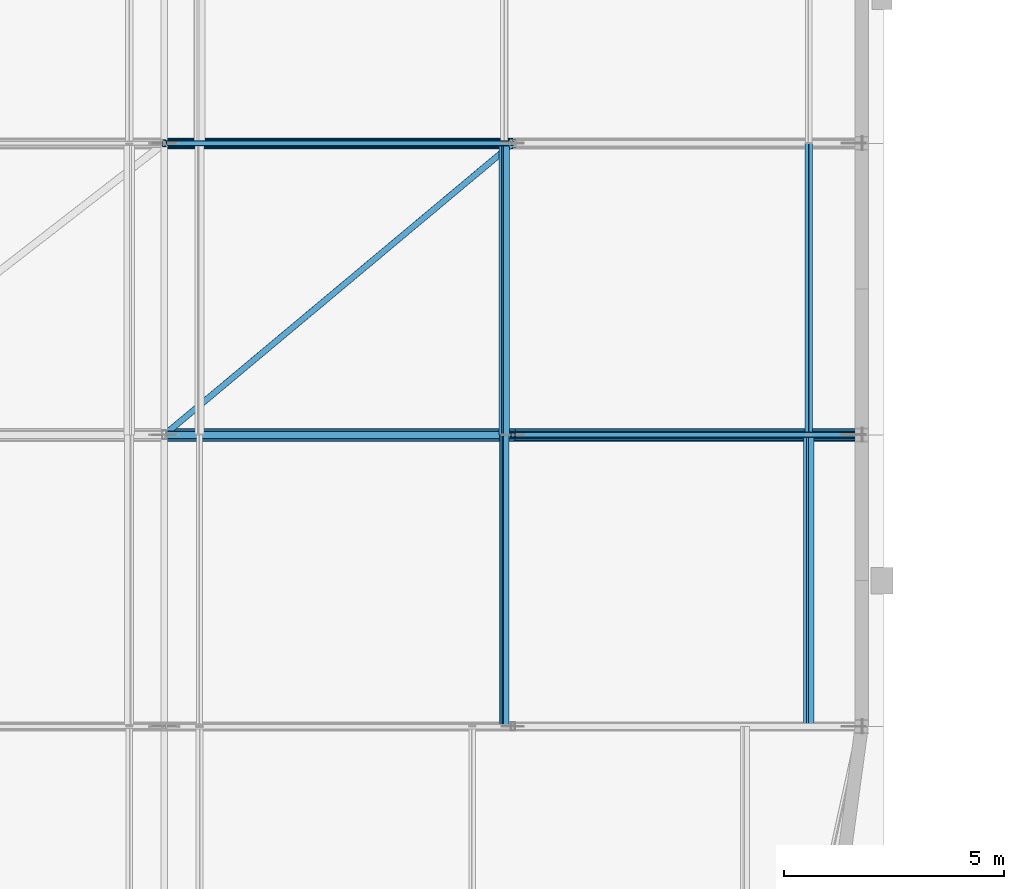
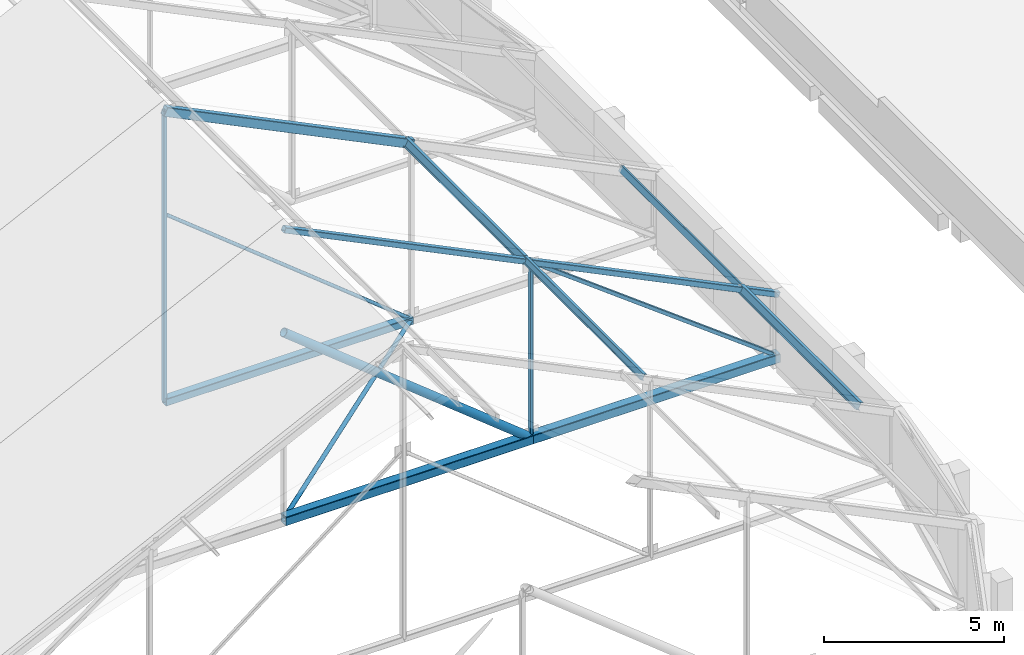
# One storey, part 18 of 78: 16 members.
"""IFC4 building model written with IfcOpenShell, lengths in metres."""

import ifcopenshell
import ifcopenshell.guid

model = None  # the IFC model being written
_history = None  # IfcOwnerHistory: only IFC2X3 demands one
_inside = {}  # id of a spatial element -> (the spatial element, [elements in it])
_under = {}  # id of a project, library or spatial element -> (it, [spatial elements below it])
_declared = {}  # id of a project -> (the project, [libraries it declares])
_typed = {}  # id of a type object -> (the type object, [elements of that type])
_made_of = {}  # id of a material, layer set ... -> (it, [elements and type objects made of it])


def new_model(schema):
    """Start an empty IFC model of exactly this schema.

    Asked for "IFC4X3", IfcOpenShell would pick the latest addendum, in which some entities
    have other attributes; the version numbers below select the first issue.
    IFC2X3 requires an IfcOwnerHistory on every rooted entity: one is made here for all.
    """
    global model, _history
    if schema == "IFC4X3":
        model = ifcopenshell.file(schema_version=(4, 3, 0, 0))
    else:
        model = ifcopenshell.file(schema=schema)
    _inside.clear()
    _under.clear()
    _declared.clear()
    _typed.clear()
    _made_of.clear()
    _history = None
    if model.schema == "IFC2X3":
        org = make("IfcOrganization", Name="unknown")
        user = make(
            "IfcPersonAndOrganization",
            ThePerson=make("IfcPerson", FamilyName="unknown"),
            TheOrganization=org,
        )
        app = make(
            "IfcApplication",
            ApplicationDeveloper=org,
            Version="unknown",
            ApplicationFullName="unknown",
            ApplicationIdentifier="unknown",
        )
        _history = make(
            "IfcOwnerHistory",
            OwningUser=user,
            OwningApplication=app,
            ChangeAction="ADDED",
            CreationDate=0,
        )
    return model


def make(cls, **values):
    """One entity of the class cls with the attributes given. An attribute that is None is left unset."""
    return model.create_entity(
        cls, **{name: value for name, value in values.items() if value is not None}
    )


def rooted(cls, **values):
    """An entity with a GlobalId (a new one), such as an element, a storey or a relation."""
    return make(cls, GlobalId=ifcopenshell.guid.new(), OwnerHistory=_history, **values)


def si_unit(unit_type, name, prefix=None):
    """IfcSIUnit, for example si_unit("LENGTHUNIT", "METRE", prefix="MILLI")."""
    return make("IfcSIUnit", UnitType=unit_type, Prefix=prefix, Name=name)


def assignment(units):
    """IfcUnitAssignment: the units of a project."""
    return None if units is None else make("IfcUnitAssignment", Units=units)


def point(xyz):
    """IfcCartesianPoint."""
    return None if xyz is None else make("IfcCartesianPoint", Coordinates=xyz)


def direction(xyz):
    """IfcDirection."""
    return None if xyz is None else make("IfcDirection", DirectionRatios=xyz)


def frame(location, z_axis=None, x_axis=None):
    """IfcAxis2Placement3D, a coordinate frame: its origin and axes. An axis left out is left unset."""
    return make(
        "IfcAxis2Placement3D",
        Location=point(location),
        Axis=direction(z_axis),
        RefDirection=direction(x_axis),
    )


def frame_2d(location, x_axis=None):
    """IfcAxis2Placement2D, a coordinate frame in the plane: its origin and x axis."""
    return make(
        "IfcAxis2Placement2D", Location=point(location), RefDirection=direction(x_axis)
    )


def origin():
    """The frame at (0, 0, 0) with its axes left unset."""
    return frame((0.0, 0.0, 0.0))


def origin_2d():
    """The frame at (0, 0) in the plane with its x axis left unset."""
    return frame_2d((0.0, 0.0))


def place(relative_to, where):
    """IfcLocalPlacement: puts the frame where relative to a parent placement (None: the world)."""
    return make(
        "IfcLocalPlacement", PlacementRelTo=relative_to, RelativePlacement=where
    )


def context(
    kind, dimensions, precision=None, world=None, true_north=None, identifier=None
):
    """IfcGeometricRepresentationContext, for example the 3D "Model" context."""
    return make(
        "IfcGeometricRepresentationContext",
        ContextIdentifier=identifier,
        ContextType=kind,
        CoordinateSpaceDimension=dimensions,
        Precision=precision,
        WorldCoordinateSystem=world,
        TrueNorth=true_north,
    )


def subcontext(parent, identifier, kind, view, scale=None):
    """IfcGeometricRepresentationSubContext, for example "Body" below "Model"."""
    return make(
        "IfcGeometricRepresentationSubContext",
        ContextIdentifier=identifier,
        ContextType=kind,
        ParentContext=parent,
        TargetScale=scale,
        TargetView=view,
    )


def project(units=None, contexts=None):
    """IfcProject with its units and contexts."""
    return rooted(
        "IfcProject",
        Name="project",
        RepresentationContexts=contexts,
        UnitsInContext=assignment(units),
    )


def spatial(cls, under=None, at=None, **own):
    """A site, building, storey or space (cls), placed at a placement, below another one or the project."""
    s = rooted(cls, ObjectPlacement=at, **own)
    if under is not None:
        _under.setdefault(under.id(), (under, []))[1].append(s)
    return s


def profile(cls, at=None, kind="AREA", **sizes):
    """A parametric profile (cls). Its sizes go by their IFC names, for example OverallWidth=200.0."""
    return make(cls, ProfileType=kind, Position=at, **sizes)


def hollow_rectangle(**sizes):
    """IfcRectangleHollowProfileDef."""
    return profile("IfcRectangleHollowProfileDef", **sizes)


def hollow_circle(**sizes):
    """IfcCircleHollowProfileDef."""
    return profile("IfcCircleHollowProfileDef", **sizes)


def i_section(**sizes):
    """IfcIShapeProfileDef."""
    return profile("IfcIShapeProfileDef", **sizes)


def extrude(swept, where, along, depth):
    """IfcExtrudedAreaSolid: the profile swept, set in the frame where, extruded along a direction by depth."""
    return make(
        "IfcExtrudedAreaSolid",
        SweptArea=swept,
        Position=where,
        ExtrudedDirection=direction(along),
        Depth=depth,
    )


def shape(context_of_items, identifier, shape_type, items):
    """IfcShapeRepresentation: the items that make up one representation, for example the "Body"."""
    return make(
        "IfcShapeRepresentation",
        ContextOfItems=context_of_items,
        RepresentationIdentifier=identifier,
        RepresentationType=shape_type,
        Items=items,
    )


def material(Name=None, Category=None):
    """IfcMaterial."""
    return make("IfcMaterial", Name=Name, Category=Category)


def material_profile(
    of_material, cross_section, Name=None, Category=None, Priority=None
):
    """IfcMaterialProfile: a cross section and its material."""
    return make(
        "IfcMaterialProfile",
        Name=Name,
        Material=of_material,
        Profile=cross_section,
        Priority=Priority,
        Category=Category,
    )


def profile_set(profiles, Name=None, composite=None):
    """IfcMaterialProfileSet."""
    return make(
        "IfcMaterialProfileSet",
        Name=Name,
        MaterialProfiles=profiles,
        CompositeProfile=composite,
    )


def made_of(thing, what):
    """Note that an element or type object is made of a material, layer set ...; save() writes the relation."""
    if what is not None:
        _made_of.setdefault(what.id(), (what, []))[1].append(thing)
    return thing


def type_object(cls, material=None, **own):
    """A type object (cls), such as IfcWallType, which elements share."""
    return made_of(rooted(cls, **own), material)


def element(
    cls,
    number,
    at=None,
    inside=None,
    cuts=None,
    type_object=None,
    material=None,
    context=None,
    identifier="Body",
    shape_type=None,
    held_by="IfcProductDefinitionShape",
    body=None,
    shapes=None,
    **own,
):
    """One element of the class cls, such as IfcWall. Its Tag is "e" and its number.

    at: its placement. inside: the storey or other place that contains it. cuts: it is an
    opening in that element (IfcRelVoidsElement). A single representation is given by context,
    identifier, shape_type and body (its items); several are given by shapes. held_by: the class
    of the entity that holds the representations. save() writes the other relations.
    """
    e = rooted(cls, Tag="e%d" % number, ObjectPlacement=at, **own)
    if body is not None:
        shapes = [shape(context, identifier, shape_type, body)]
    if shapes is not None:
        e.Representation = make(held_by, Representations=shapes)
    if inside is not None:
        _inside.setdefault(inside.id(), (inside, []))[1].append(e)
    if cuts is not None:
        rooted(
            "IfcRelVoidsElement", RelatingBuildingElement=cuts, RelatedOpeningElement=e
        )
    if type_object is not None:
        _typed.setdefault(type_object.id(), (type_object, []))[1].append(e)
    return made_of(e, material)


def aggregate(whole, parts):
    """IfcRelAggregates: a whole, such as a stair, and the parts it consists of."""
    return rooted("IfcRelAggregates", RelatingObject=whole, RelatedObjects=parts)


def save(model, path):
    """Write the relations noted so far, then the file.

    IfcRelAggregates (storeys below a building ...), IfcRelContainedInSpatialStructure (elements
    in a storey), IfcRelDefinesByType, IfcRelAssociatesMaterial and IfcRelDeclares: one each for
    every whole, place, type object, material and project.
    """
    for whole, parts in _under.values():
        aggregate(whole, parts)
    for where, things in _inside.values():
        rooted(
            "IfcRelContainedInSpatialStructure",
            RelatedElements=things,
            RelatingStructure=where,
        )
    for kind, things in _typed.values():
        rooted("IfcRelDefinesByType", RelatedObjects=things, RelatingType=kind)
    for what, things in _made_of.values():
        rooted("IfcRelAssociatesMaterial", RelatedObjects=things, RelatingMaterial=what)
    for by, libraries in _declared.values():
        rooted("IfcRelDeclares", RelatingContext=by, RelatedDefinitions=libraries)
    model.write(path)


model = new_model("IFC4")

# Units and contexts
model_context = context("Model", 3, precision=1e-05, world=origin(), true_north=direction((0.0, 1.0)))
body_context = subcontext(model_context, "Body", "Model", "MODEL_VIEW")
ifc_project = project(units=[si_unit("LENGTHUNIT", "METRE"), si_unit("AREAUNIT", "SQUARE_METRE"), si_unit("VOLUMEUNIT", "CUBIC_METRE"), si_unit("PLANEANGLEUNIT", "RADIAN"), si_unit("MASSUNIT", "GRAM", prefix="KILO")], contexts=[model_context])

# Site, building, storey
site_placement = place(None, origin())
site = spatial("IfcSite", under=ifc_project, at=site_placement, CompositionType="ELEMENT")
building_placement = place(site_placement, origin())
building = spatial("IfcBuilding", under=site, at=building_placement, Name="Kelanivale Promenade Academy", CompositionType="ELEMENT")
storey_placement = place(building_placement, frame((0.0, 0.0, 16.199951171875)))
storey = spatial("IfcBuildingStorey", under=building, at=storey_placement, Name="L04", CompositionType="ELEMENT", Elevation=16.199951171875)

# Members
ifc_material = material(Name="Steel S355", Category="steel")
ifc_material_profile_1 = material_profile(ifc_material, i_section(OverallWidth=0.13330078125, OverallDepth=0.203125, WebThickness=0.005615234375, FlangeThickness=0.0078125, FilletRadius=0.007568359375, at=origin_2d()), Name="UB 203x133x25")
ifc_profile_set_1 = profile_set([ifc_material_profile_1], Name="Steel S355")
member_type_1 = type_object("IfcMemberType", Name="PR-01 UB 203x133x25", PredefinedType="PURLIN", material=ifc_profile_set_1)
member_1_placement = place(storey_placement, frame((27.324951171875, 46.257080078125, 6.3310546875), z_axis=(0.0, 1.0, 0.0), x_axis=(-0.898564392509, 0.0, 0.438841694139)))
element("IfcMember", 1, at=member_1_placement, inside=storey, type_object=member_type_1, Name="Sports Hall Crescent Pavilion roof purlin PR-01", PredefinedType="PURLIN", context=body_context, shape_type="SweptSolid", body=[
    extrude(i_section(OverallWidth=0.13330078125, OverallDepth=0.203125, WebThickness=0.005615234375, FlangeThickness=0.0078125, FilletRadius=0.007568359375, at=origin_2d()), origin(), (0.0, 0.0, 1.0), 6.62890625),
])
ifc_material_profile_2 = material_profile(ifc_material, i_section(OverallWidth=0.14599609375, OverallDepth=0.25146484375, WebThickness=0.006103515625, FlangeThickness=0.008544921875, FilletRadius=0.007568359375, at=origin_2d()), Name="UB 254x146x31")
ifc_profile_set_2 = profile_set([ifc_material_profile_2], Name="Steel S355")
member_type_2 = type_object("IfcMemberType", Name="PR-02 UB 254x146x31", PredefinedType="PURLIN", material=ifc_profile_set_2)
member_2_placement = place(storey_placement, frame((34.25, 46.257080078125, 2.922119140625), z_axis=(0.0, 1.0, 0.0), x_axis=(-0.898564392509, 0.0, 0.438841694139)))
element("IfcMember", 2, at=member_2_placement, inside=storey, type_object=member_type_2, Name="Sports Hall Crescent Pavilion roof purlin PR-02", PredefinedType="PURLIN", context=body_context, shape_type="SweptSolid", body=[
    extrude(i_section(OverallWidth=0.14599609375, OverallDepth=0.25146484375, WebThickness=0.006103515625, FlangeThickness=0.008544921875, FilletRadius=0.007568359375, at=origin_2d()), origin(), (0.0, 0.0, 1.0), 6.62890625),
])
member_3_placement = place(storey_placement, frame((27.324951171875, 52.885986328125, 6.303955078125), z_axis=(0.0, 1.0, 0.0), x_axis=(-0.898564392509, 0.0, 0.438841694139)))
element("IfcMember", 3, at=member_3_placement, inside=storey, type_object=member_type_2, Name="Sports Hall Crescent Pavilion roof purlin PR-02", PredefinedType="PURLIN", context=body_context, shape_type="SweptSolid", body=[
    extrude(i_section(OverallWidth=0.14599609375, OverallDepth=0.25146484375, WebThickness=0.006103515625, FlangeThickness=0.008544921875, FilletRadius=0.007568359375, at=origin_2d()), origin(), (0.0, 0.0, 1.0), 6.6279296875),
])
ifc_material_profile_3 = material_profile(ifc_material, hollow_rectangle(XDim=0.10009765625, YDim=0.199951171875, WallThickness=0.008056640625, InnerFilletRadius=0.008056640625, OuterFilletRadius=0.01611328125, at=origin_2d()), Name="RHS 200x100x8.0")
ifc_profile_set_3 = profile_set([ifc_material_profile_3], Name="Steel S355")
member_type_3 = type_object("IfcMemberType", Name="PR-03 RHS 200x100x8.0", PredefinedType="PURLIN", material=ifc_profile_set_3)
member_4_placement = place(storey_placement, frame((34.25, 52.885986328125, 2.950927734375), z_axis=(0.0, 1.0, 0.0), x_axis=(-0.898564392509, 0.0, 0.438841694139)))
element("IfcMember", 4, at=member_4_placement, inside=storey, type_object=member_type_3, Name="Sports Hall Crescent Pavilion roof purlin PR-03", PredefinedType="PURLIN", context=body_context, shape_type="SweptSolid", body=[
    extrude(hollow_rectangle(XDim=0.10009765625, YDim=0.199951171875, WallThickness=0.008056640625, InnerFilletRadius=0.008056640625, OuterFilletRadius=0.01611328125, at=origin_2d()), origin(), (0.0, 0.0, 1.0), 6.6279296875),
])
ifc_material_profile_4 = material_profile(ifc_material, hollow_rectangle(XDim=0.300048828125, YDim=0.300048828125, WallThickness=0.01611328125, InnerFilletRadius=0.01611328125, OuterFilletRadius=0.031982421875, at=origin_2d()), Name="SHS 300x300x16.0")
ifc_profile_set_4 = profile_set([ifc_material_profile_4], Name="Steel S355")
member_type_4 = type_object("IfcMemberType", Name="TC-01 SHS 300x300x16.0", PredefinedType="CHORD", material=ifc_profile_set_4)
member_5_placement = place(storey_placement, frame((19.60009765625, 52.885986328125, 0.199951171875), z_axis=(1.0, 0.0, 0.0), x_axis=(0.0, 1.0, 0.0)))
element("IfcMember", 5, at=member_5_placement, inside=storey, type_object=member_type_4, Name="ROOF TRUSS SH-TR4 bottom chord 3", PredefinedType="CHORD", context=body_context, shape_type="SweptSolid", body=[
    extrude(hollow_rectangle(XDim=0.300048828125, YDim=0.300048828125, WallThickness=0.01611328125, InnerFilletRadius=0.01611328125, OuterFilletRadius=0.031982421875, at=origin_2d()), origin(), (0.0, 0.0, 1.0), 7.9248046875),
])
member_6_placement = place(storey_placement, frame((27.52490234375, 52.885986328125, 0.199951171875), z_axis=(1.0, 0.0, 0.0), x_axis=(0.0, 1.0, 0.0)))
element("IfcMember", 6, at=member_6_placement, inside=storey, type_object=member_type_4, Name="ROOF TRUSS SH-TR4 bottom chord 4", PredefinedType="CHORD", context=body_context, shape_type="SweptSolid", body=[
    extrude(hollow_rectangle(XDim=0.300048828125, YDim=0.300048828125, WallThickness=0.01611328125, InnerFilletRadius=0.01611328125, OuterFilletRadius=0.031982421875, at=origin_2d()), origin(), (0.0, 0.0, 1.0), 7.925048828125),
])
ifc_material_profile_5 = material_profile(ifc_material, hollow_rectangle(XDim=0.25, YDim=0.25, WallThickness=0.012451171875, InnerFilletRadius=0.012451171875, OuterFilletRadius=0.02490234375, at=origin_2d()), Name="SHS 250x250x12.5")
ifc_profile_set_5 = profile_set([ifc_material_profile_5], Name="Steel S355")
member_type_5 = type_object("IfcMemberType", Name="TC-02 SHS 250x250x12.5", PredefinedType="CHORD", material=ifc_profile_set_5)
member_7_placement = place(storey_placement, frame((19.60009765625, 59.513916015625, 0.199951171875), z_axis=(1.0, 0.0, 0.0), x_axis=(0.0, 1.0, 0.0)))
element("IfcMember", 7, at=member_7_placement, inside=storey, type_object=member_type_5, Name="ROOF TRUSS SH-TR5 bottom chord 3", PredefinedType="CHORD", context=body_context, shape_type="SweptSolid", body=[
    extrude(hollow_rectangle(XDim=0.25, YDim=0.25, WallThickness=0.012451171875, InnerFilletRadius=0.012451171875, OuterFilletRadius=0.02490234375, at=origin_2d()), origin(), (0.0, 0.0, 1.0), 7.9248046875),
])
ifc_material_profile_6 = material_profile(ifc_material, hollow_rectangle(XDim=0.179931640625, YDim=0.179931640625, WallThickness=0.010009765625, InnerFilletRadius=0.010009765625, OuterFilletRadius=0.02001953125, at=origin_2d()), Name="SHS 180x180x10.0")
ifc_profile_set_6 = profile_set([ifc_material_profile_6], Name="Steel S355")
member_type_6 = type_object("IfcMemberType", Name="TC-04 SHS 180x180x10.0", PredefinedType="CHORD", material=ifc_profile_set_6)
member_8_placement = place(storey_placement, frame((19.60009765625, 52.885986328125, 10.0419921875), z_axis=(0.89858452393, 0.0, -0.438800471005), x_axis=(0.0, 1.0, 0.0)))
element("IfcMember", 8, at=member_8_placement, inside=storey, type_object=member_type_6, Name="ROOF TRUSS SH-TR4 top chord 3", PredefinedType="CHORD", context=body_context, shape_type="SweptSolid", body=[
    extrude(hollow_rectangle(XDim=0.179931640625, YDim=0.179931640625, WallThickness=0.010009765625, InnerFilletRadius=0.010009765625, OuterFilletRadius=0.02001953125, at=origin_2d()), origin(), (0.0, 0.0, 1.0), 8.819091796875),
])
member_9_placement = place(storey_placement, frame((27.52490234375, 52.885986328125, 6.172119140625), z_axis=(0.898535276105, 0.0, -0.438901307351), x_axis=(0.0, 1.0, 0.0)))
element("IfcMember", 9, at=member_9_placement, inside=storey, type_object=member_type_6, Name="ROOF TRUSS SH-TR4 top chord 4", PredefinedType="CHORD", context=body_context, shape_type="SweptSolid", body=[
    extrude(hollow_rectangle(XDim=0.179931640625, YDim=0.179931640625, WallThickness=0.010009765625, InnerFilletRadius=0.010009765625, OuterFilletRadius=0.02001953125, at=origin_2d()), origin(), (0.0, 0.0, 1.0), 8.820068359375),
])
ifc_material_profile_7 = material_profile(ifc_material, hollow_rectangle(XDim=0.199951171875, YDim=0.300048828125, WallThickness=0.012451171875, InnerFilletRadius=0.012451171875, OuterFilletRadius=0.02490234375, at=origin_2d()), Name="RHS 300x200x12.5")
ifc_profile_set_7 = profile_set([ifc_material_profile_7], Name="Steel S355")
member_type_7 = type_object("IfcMemberType", Name="TC-05 RHS 300x200x12.5", PredefinedType="CHORD", material=ifc_profile_set_7)
member_10_placement = place(storey_placement, frame((19.60009765625, 59.513916015625, 10.0419921875), z_axis=(0.89858452393, 0.0, -0.438800471005), x_axis=(0.0, 1.0, 0.0)))
element("IfcMember", 10, at=member_10_placement, inside=storey, type_object=member_type_7, Name="ROOF TRUSS SH-TR5 top chord 3", PredefinedType="CHORD", context=body_context, shape_type="SweptSolid", body=[
    extrude(hollow_rectangle(XDim=0.199951171875, YDim=0.300048828125, WallThickness=0.012451171875, InnerFilletRadius=0.012451171875, OuterFilletRadius=0.02490234375, at=origin_2d()), origin(), (0.0, 0.0, 1.0), 8.819091796875),
])
ifc_material_profile_8 = material_profile(ifc_material, hollow_rectangle(XDim=0.1201171875, YDim=0.1201171875, WallThickness=0.008056640625, InnerFilletRadius=0.008056640625, OuterFilletRadius=0.01611328125, at=origin_2d()), Name="SHS 120x120x8.0")
ifc_profile_set_8 = profile_set([ifc_material_profile_8], Name="Steel S355")
member_type_8 = type_object("IfcMemberType", Name="TD-02 SHS 120x120x8.0", PredefinedType="BRACE", material=ifc_profile_set_8)
member_11_placement = place(storey_placement, frame((35.449951171875, 52.885986328125, 0.199951171875), z_axis=(-0.798625080722, 0.0, 0.601828863085), x_axis=(0.0, -1.0, 0.0)))
element("IfcMember", 11, at=member_11_placement, inside=storey, type_object=member_type_8, Name="ROOF TRUSS SH-TR4 web diagonal 4", PredefinedType="BRACE", context=body_context, shape_type="SweptSolid", body=[
    extrude(hollow_rectangle(XDim=0.1201171875, YDim=0.1201171875, WallThickness=0.008056640625, InnerFilletRadius=0.008056640625, OuterFilletRadius=0.01611328125, at=origin_2d()), origin(), (0.0, 0.0, 1.0), 9.92333984375),
])
ifc_material_profile_9 = material_profile(ifc_material, hollow_circle(Radius=0.06982421875, WallThickness=0.008056640625, at=origin_2d()), Name="CHS 139.7x8.0")
ifc_profile_set_9 = profile_set([ifc_material_profile_9], Name="Steel S355")
member_type_9 = type_object("IfcMemberType", Name="TD-05 CHS 139.7x8.0", PredefinedType="BRACE", material=ifc_profile_set_9)
member_12_placement = place(storey_placement, frame((19.60009765625, 52.885986328125, 0.199951171875), z_axis=(0.76708109909, 0.641550144119, 0.0), x_axis=(-0.641550144119, 0.76708109909, 0.0)))
element("IfcMember", 12, at=member_12_placement, inside=storey, type_object=member_type_9, Name="Sports Hall Crescent Pavilion roof wind brace TD-05", PredefinedType="BRACE", context=body_context, shape_type="SweptSolid", body=[
    extrude(hollow_circle(Radius=0.06982421875, WallThickness=0.008056640625, at=origin_2d()), origin(), (0.0, 0.0, 1.0), 10.3310546875),
])
ifc_material_profile_10 = material_profile(ifc_material, hollow_circle(Radius=0.05712890625, WallThickness=0.00634765625, at=origin_2d()), Name="CHS 114.3x6.3")
ifc_profile_set_10 = profile_set([ifc_material_profile_10], Name="Steel S355")
member_type_10 = type_object("IfcMemberType", Name="TD-06 CHS 114.3x6.3", PredefinedType="BRACE", material=ifc_profile_set_10)
member_13_placement = place(storey_placement, frame((27.52490234375, 59.513916015625, 0.199951171875), z_axis=(-0.780857074681, 0.0, 0.624709715724), x_axis=(0.0, -1.0, 0.0)))
element("IfcMember", 13, at=member_13_placement, inside=storey, type_object=member_type_10, Name="ROOF TRUSS SH-TR5 web diagonal 3", PredefinedType="BRACE", context=body_context, shape_type="SweptSolid", body=[
    extrude(hollow_circle(Radius=0.05712890625, WallThickness=0.00634765625, at=origin_2d()), origin(), (0.0, 0.0, 1.0), 10.14892578125),
])
ifc_material_profile_11 = material_profile(ifc_material, hollow_circle(Radius=0.136474609375, WallThickness=0.012451171875, at=origin_2d()), Name="CHS 273.0x12.5")
ifc_profile_set_11 = profile_set([ifc_material_profile_11], Name="Steel S355")
member_type_11 = type_object("IfcMemberType", Name="TD-08 CHS 273.0x12.5", PredefinedType="BRACE", material=ifc_profile_set_11)
member_14_placement = place(storey_placement, frame((27.52490234375, 52.885986328125, 0.199951171875), z_axis=(-0.780857074681, 0.0, 0.624709715724), x_axis=(0.0, -1.0, 0.0)))
element("IfcMember", 14, at=member_14_placement, inside=storey, type_object=member_type_11, Name="ROOF TRUSS SH-TR4 web diagonal 3", PredefinedType="BRACE", context=body_context, shape_type="SweptSolid", body=[
    extrude(hollow_circle(Radius=0.136474609375, WallThickness=0.012451171875, at=origin_2d()), origin(), (0.0, 0.0, 1.0), 10.14892578125),
])
ifc_material_profile_12 = material_profile(ifc_material, hollow_rectangle(XDim=0.10009765625, YDim=0.14990234375, WallThickness=0.008056640625, InnerFilletRadius=0.008056640625, OuterFilletRadius=0.01611328125, at=origin_2d()), Name="RHS 150x100x8.0")
ifc_profile_set_12 = profile_set([ifc_material_profile_12], Name="Steel S355")
member_type_12 = type_object("IfcMemberType", Name="TV-03 RHS 150x100x8.0", PredefinedType="STRUT", material=ifc_profile_set_12)
member_15_placement = place(storey_placement, frame((27.52490234375, 52.885986328125, 0.199951171875), z_axis=(0.0, 0.0, 1.0), x_axis=(1.0, 0.0, 0.0)))
element("IfcMember", 15, at=member_15_placement, inside=storey, type_object=member_type_12, Name="ROOF TRUSS SH-TR4 vertical strut 3", PredefinedType="STRUT", context=body_context, shape_type="SweptSolid", body=[
    extrude(hollow_rectangle(XDim=0.10009765625, YDim=0.14990234375, WallThickness=0.008056640625, InnerFilletRadius=0.008056640625, OuterFilletRadius=0.01611328125, at=origin_2d()), origin(), (0.0, 0.0, 1.0), 5.97216796875),
])
member_16_placement = place(storey_placement, frame((19.60009765625, 59.513916015625, 0.199951171875), z_axis=(0.0, 0.0, 1.0), x_axis=(1.0, 0.0, 0.0)))
element("IfcMember", 16, at=member_16_placement, inside=storey, type_object=member_type_12, Name="ROOF TRUSS SH-TR5 vertical strut 2", PredefinedType="STRUT", context=body_context, shape_type="SweptSolid", body=[
    extrude(hollow_rectangle(XDim=0.10009765625, YDim=0.14990234375, WallThickness=0.008056640625, InnerFilletRadius=0.008056640625, OuterFilletRadius=0.01611328125, at=origin_2d()), origin(), (0.0, 0.0, 1.0), 9.842041015625),
])

save(model, "model.ifc")
